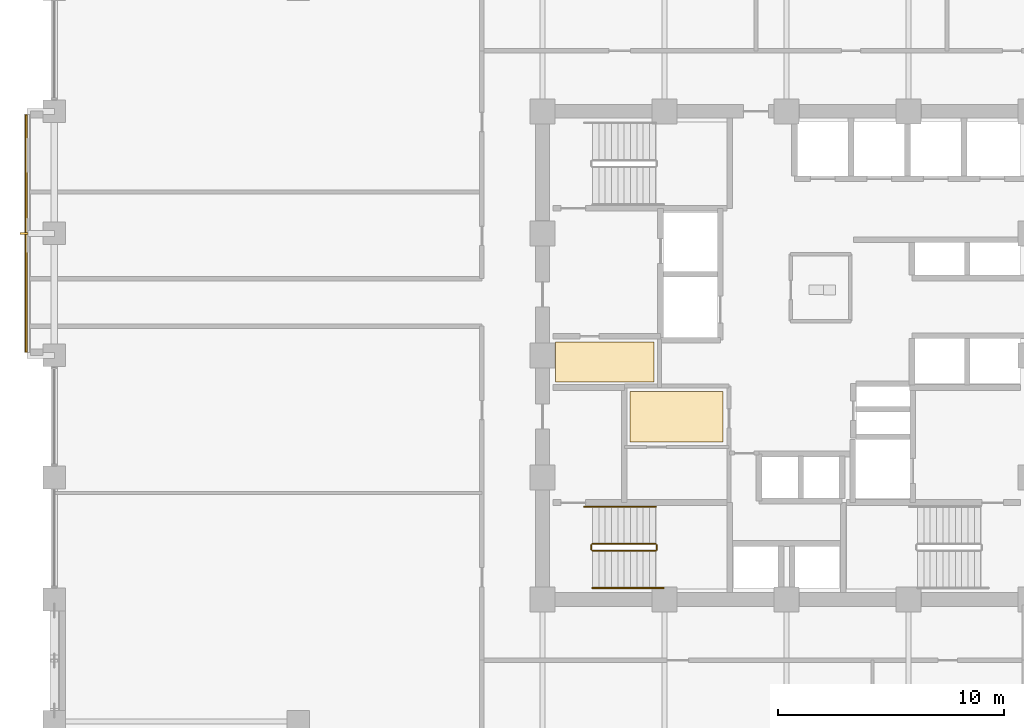
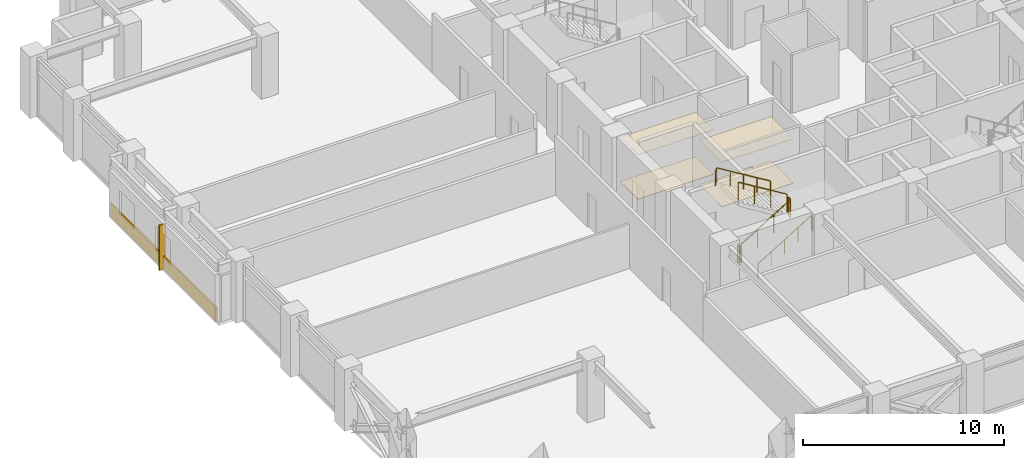
# One storey, part 22 of 25: 6 railings, 5 coverings, 1 shading device.
"""IFC4 building model written with IfcOpenShell, lengths in metres."""

from ifc_helpers import new_model, si_unit, direction, frame, origin, origin_2d, place, context, subcontext, project, spatial, polyline, rectangle, circle, outline, extrude, material, layer, layer_set, type_object, element, save


model = new_model("IFC4")

# Units and contexts
model_context = context("Model", 3, precision=1e-05, world=origin(), true_north=direction((0.0, 1.0)))
body_context = subcontext(model_context, "Body", "Model", "MODEL_VIEW")
ifc_project = project(units=[si_unit("LENGTHUNIT", "METRE"), si_unit("AREAUNIT", "SQUARE_METRE"), si_unit("VOLUMEUNIT", "CUBIC_METRE"), si_unit("PLANEANGLEUNIT", "RADIAN"), si_unit("MASSUNIT", "GRAM", prefix="KILO")], contexts=[model_context])

# Site, building, storey
site_placement = place(None, origin())
site = spatial("IfcSite", under=ifc_project, at=site_placement, CompositionType="ELEMENT")
building_placement = place(site_placement, origin())
building = spatial("IfcBuilding", under=site, at=building_placement, Name="Surkhivell Harbour Commons", CompositionType="ELEMENT")
storey_placement = place(building_placement, frame((0.0, 0.0, 139.5)))
storey = spatial("IfcBuildingStorey", under=building, at=storey_placement, Name="L36", CompositionType="ELEMENT", Elevation=139.5)

# Coverings
ifc_material_1 = material(Name="Perforated acoustic mineral-fibre ceiling tile", Category="other")
ifc_layer_1 = layer(ifc_material_1, 0.02490234375)
ifc_layer_set_1 = layer_set([ifc_layer_1], Name="Perforated acoustic mineral-fibre ceiling tile")
covering_type_1 = type_object("IfcCoveringType", Name="COV-CEIL-AC", PredefinedType="CEILING", material=ifc_layer_set_1)
covering_1_placement = place(storey_placement, frame((0.0, 0.0, 2.694091796875)))
element("IfcCovering", 1, at=covering_1_placement, inside=storey, type_object=covering_type_1, Name="L36 Suspended Acoustic Ceiling 1", PredefinedType="CEILING", context=body_context, shape_type="SweptSolid", body=[
    extrude(outline(polyline([(-10.219970703125, -1.179931640625), (-5.8701171875, -1.179931640625), (-5.8701171875, 0.60009765625), (-10.219970703125, 0.60009765625), (-10.219970703125, 0.580078125), (-10.219970703125, -0.580078125), (-10.219970703125, -1.179931640625)])), origin(), (0.0, 0.0, 1.0), 0.02490234375),
])
ifc_material_2 = material(Name="Moisture-resistant gypsum acoustic ceiling board", Category="other")
ifc_layer_2 = layer(ifc_material_2, 0.030029296875)
ifc_layer_set_2 = layer_set([ifc_layer_2], Name="Moisture-resistant gypsum acoustic ceiling board")
covering_type_2 = type_object("IfcCoveringType", Name="COV-CEIL-GYP", PredefinedType="CEILING", material=ifc_layer_set_2)
covering_2_placement = place(storey_placement, frame((0.0, 0.0, 2.68896484375)))
element("IfcCovering", 2, at=covering_2_placement, inside=storey, type_object=covering_type_2, Name="L36 Suspended Acoustic Ceiling 2", PredefinedType="CEILING", context=body_context, shape_type="SweptSolid", body=[
    extrude(outline(polyline([(-6.929931640625, -3.830078125), (-2.820068359375, -3.830078125), (-2.820068359375, -1.60009765625), (-6.929931640625, -1.60009765625), (-6.929931640625, -3.830078125)])), origin(), (0.0, 0.0, 1.0), 0.030029296875),
])
ifc_material_3 = material(Name="Emerald-teal enamelled aluminium cassette panel", Category="aluminium")
ifc_layer_3 = layer(ifc_material_3, 0.068115234375)
ifc_layer_set_3 = layer_set([ifc_layer_3], Name="Emerald-teal enamelled aluminium cassette panel")
covering_type_3 = type_object("IfcCoveringType", Name="COV-CLAD-EME", PredefinedType="CLADDING", material=ifc_layer_set_3)
covering_3_placement = place(storey_placement, frame((-33.639892578125, 5.39990234375, 0.0), z_axis=(0.0, 0.0, 1.0), x_axis=(1.0, 0.0, 0.0)))
element("IfcCovering", 3, at=covering_3_placement, inside=storey, type_object=covering_type_3, Name="L36 Coloured-Panel Box Spandrel Cassette 02", PredefinedType="CLADDING", context=body_context, shape_type="SweptSolid", body=[
    extrude(rectangle(XDim=0.080078125, YDim=10.5, at=origin_2d()), origin(), (0.0, 0.0, 1.0), 0.840087890625),
])
ifc_material_4 = material(Name="Engineered acoustic oak timber flooring", Category="wood")
ifc_layer_4 = layer(ifc_material_4, 0.02001953125)
ifc_layer_set_4 = layer_set([ifc_layer_4], Name="Engineered acoustic oak timber flooring")
covering_type_4 = type_object("IfcCoveringType", Name="COV-FLR-TIM", PredefinedType="FLOORING", material=ifc_layer_set_4)
covering_4_placement = place(storey_placement, origin())
element("IfcCovering", 4, at=covering_4_placement, inside=storey, type_object=covering_type_4, Name="L36 Interior Floor Finish 1", PredefinedType="FLOORING", context=body_context, shape_type="SweptSolid", body=[
    extrude(outline(polyline([(-10.219970703125, -1.179931640625), (-5.8701171875, -1.179931640625), (-5.8701171875, 0.60009765625), (-10.219970703125, 0.60009765625), (-10.219970703125, 0.580078125), (-10.219970703125, -0.580078125), (-10.219970703125, -1.179931640625)])), origin(), (0.0, 0.0, 1.0), 0.02001953125),
])
covering_5_placement = place(storey_placement, origin())
element("IfcCovering", 5, at=covering_5_placement, inside=storey, type_object=covering_type_4, Name="L36 Interior Floor Finish 2", PredefinedType="FLOORING", context=body_context, shape_type="SweptSolid", body=[
    extrude(outline(polyline([(-6.929931640625, -3.830078125), (-2.820068359375, -3.830078125), (-2.820068359375, -1.60009765625), (-6.929931640625, -1.60009765625), (-6.929931640625, -3.830078125)])), origin(), (0.0, 0.0, 1.0), 0.02001953125),
])

# Railings
ifc_material_5 = material(Name="Galvanised and painted steel S355 guard rail", Category="steel")
railing_type_1 = type_object("IfcRailingType", Name="RAL-ST-GRD1100", PredefinedType="GUARDRAIL", material=ifc_material_5)
railing_1_placement = place(storey_placement, frame((-8.590087890625, -8.639892578125, 0.17041015625)))
element("IfcRailing", 6, at=railing_1_placement, inside=storey, type_object=railing_type_1, Name="L36 ST3 stair guard 1", PredefinedType="GUARDRAIL", context=body_context, shape_type="SweptSolid", body=[
    extrude(circle(Radius=0.02392578125, at=origin_2d()), frame((0.0, 0.0, 1.076171875), z_axis=(0.854169791009, 0.0, 0.51999420009), x_axis=(0.0, 1.0, 0.0)), (0.0, 0.0, 1.0), 3.278076171875),
    extrude(circle(Radius=0.02099609375, at=origin_2d()), origin(), (0.0, 0.0, 1.0), 1.052001953125),
    extrude(circle(Radius=0.02099609375, at=origin_2d()), frame((0.933349609375, 0.0, 0.568115234375)), (0.0, 0.0, 1.0), 1.052001953125),
    extrude(circle(Radius=0.02099609375, at=origin_2d()), frame((1.86669921875, 0.0, 1.136474609375)), (0.0, 0.0, 1.0), 1.052001953125),
    extrude(circle(Radius=0.02099609375, at=origin_2d()), frame((2.800048828125, 0.0, 1.70458984375)), (0.0, 0.0, 1.0), 1.052001953125),
])
railing_2_placement = place(storey_placement, frame((-5.739990234375, -8.590087890625, 1.875)))
element("IfcRailing", 7, at=railing_2_placement, inside=storey, type_object=railing_type_1, Name="L36 ST3 stair guard 2", PredefinedType="GUARDRAIL", context=body_context, shape_type="SweptSolid", body=[
    extrude(circle(Radius=0.02392578125, at=origin_2d()), frame((0.0, 0.0, 1.076171875), z_axis=(0.0, 1.0, 0.0), x_axis=(-1.0, 0.0, 0.0)), (0.0, 0.0, 1.0), 0.2001953125),
    extrude(circle(Radius=0.02099609375, at=origin_2d()), origin(), (0.0, 0.0, 1.0), 1.052001953125),
    extrude(circle(Radius=0.02099609375, at=origin_2d()), frame((0.0, 0.2001953125, 0.0)), (0.0, 0.0, 1.0), 1.052001953125),
])
railing_3_placement = place(storey_placement, frame((-5.7900390625, -8.340087890625, 2.04541015625)))
element("IfcRailing", 8, at=railing_3_placement, inside=storey, type_object=railing_type_1, Name="L36 ST3 stair guard 3", PredefinedType="GUARDRAIL", context=body_context, shape_type="SweptSolid", body=[
    extrude(circle(Radius=0.02392578125, at=origin_2d()), frame((0.0, 0.0, 1.076171875), z_axis=(-0.854169791009, 0.0, 0.51999420009), x_axis=(0.0, -1.0, 0.0)), (0.0, 0.0, 1.0), 3.278076171875),
    extrude(circle(Radius=0.02099609375, at=origin_2d()), origin(), (0.0, 0.0, 1.0), 1.052001953125),
    extrude(circle(Radius=0.02099609375, at=origin_2d()), frame((-0.933349609375, 0.0, 0.568115234375)), (0.0, 0.0, 1.0), 1.052001953125),
    extrude(circle(Radius=0.02099609375, at=origin_2d()), frame((-1.86669921875, 0.0, 1.136474609375)), (0.0, 0.0, 1.0), 1.052001953125),
    extrude(circle(Radius=0.02099609375, at=origin_2d()), frame((-2.800048828125, 0.0, 1.70458984375)), (0.0, 0.0, 1.0), 1.052001953125),
])
railing_4_placement = place(storey_placement, frame((-8.639892578125, -8.590087890625, 0.0)))
element("IfcRailing", 9, at=railing_4_placement, inside=storey, type_object=railing_type_1, Name="L36 ST3 stair guard 4", PredefinedType="GUARDRAIL", context=body_context, shape_type="SweptSolid", body=[
    extrude(circle(Radius=0.02392578125, at=origin_2d()), frame((0.0, 0.0, 1.076171875), z_axis=(0.0, 1.0, 0.0), x_axis=(-1.0, 0.0, 0.0)), (0.0, 0.0, 1.0), 0.2001953125),
    extrude(circle(Radius=0.02099609375, at=origin_2d()), origin(), (0.0, 0.0, 1.0), 1.052001953125),
    extrude(circle(Radius=0.02099609375, at=origin_2d()), frame((0.0, 0.2001953125, 0.0)), (0.0, 0.0, 1.0), 1.052001953125),
])
ifc_material_6 = material(Name="Brushed stainless steel S355 handrail", Category="steel")
railing_type_2 = type_object("IfcRailingType", Name="RAL-ST-HND900", PredefinedType="HANDRAIL", material=ifc_material_6)
railing_5_placement = place(storey_placement, frame((-8.590087890625, -10.2900390625, 0.17041015625)))
element("IfcRailing", 10, at=railing_5_placement, inside=storey, type_object=railing_type_2, Name="L36 ST3 stair handrail 1", PredefinedType="HANDRAIL", context=body_context, shape_type="SweptSolid", body=[
    extrude(circle(Radius=0.02392578125, at=origin_2d()), frame((0.0, 0.0, 0.8759765625), z_axis=(0.854177636135, 0.0, 0.519981313056), x_axis=(0.0, 1.0, 0.0)), (0.0, 0.0, 1.0), 3.60595703125),
    extrude(circle(Radius=0.02392578125, at=origin_2d()), frame((3.080078125, 0.0, 2.7509765625), z_axis=(0.425297416671, 0.0, -0.905053648892), x_axis=(0.0, 1.0, 0.0)), (0.0, 0.0, 1.0), 0.188232421875),
    extrude(circle(Radius=0.02099609375, at=origin_2d()), origin(), (0.0, 0.0, 1.0), 0.851806640625),
    extrude(circle(Radius=0.02099609375, at=origin_2d()), frame((0.77001953125, 0.0, 0.46875)), (0.0, 0.0, 1.0), 0.851806640625),
    extrude(circle(Radius=0.02099609375, at=origin_2d()), frame((1.5400390625, 0.0, 0.9375)), (0.0, 0.0, 1.0), 0.851806640625),
    extrude(circle(Radius=0.02099609375, at=origin_2d()), frame((2.31005859375, 0.0, 1.40625)), (0.0, 0.0, 1.0), 0.851806640625),
    extrude(circle(Radius=0.02099609375, at=origin_2d()), frame((3.080078125, 0.0, 1.875)), (0.0, 0.0, 1.0), 0.851806640625),
    extrude(circle(Radius=0.02099609375, at=origin_2d()), frame((3.16015625, 0.0, 1.70458984375)), (0.0, 0.0, 1.0), 0.851806640625),
])
railing_6_placement = place(storey_placement, frame((-5.7900390625, -6.68994140625, 2.04541015625)))
element("IfcRailing", 11, at=railing_6_placement, inside=storey, type_object=railing_type_2, Name="L36 ST3 stair handrail 2", PredefinedType="HANDRAIL", context=body_context, shape_type="SweptSolid", body=[
    extrude(circle(Radius=0.02392578125, at=origin_2d()), frame((0.0, 0.0, 0.8759765625), z_axis=(-0.854177636135, 0.0, 0.519981313056), x_axis=(0.0, -1.0, 0.0)), (0.0, 0.0, 1.0), 3.60595703125),
    extrude(circle(Radius=0.02392578125, at=origin_2d()), frame((-3.080078125, 0.0, 2.7509765625), z_axis=(-0.424234432967, 0.0, -0.905552398199), x_axis=(0.0, -1.0, 0.0)), (0.0, 0.0, 1.0), 0.188232421875),
    extrude(circle(Radius=0.02099609375, at=origin_2d()), origin(), (0.0, 0.0, 1.0), 0.851806640625),
    extrude(circle(Radius=0.02099609375, at=origin_2d()), frame((-0.77001953125, 0.0, 0.46875)), (0.0, 0.0, 1.0), 0.851806640625),
    extrude(circle(Radius=0.02099609375, at=origin_2d()), frame((-1.5400390625, 0.0, 0.9375)), (0.0, 0.0, 1.0), 0.851806640625),
    extrude(circle(Radius=0.02099609375, at=origin_2d()), frame((-2.31005859375, 0.0, 1.40625)), (0.0, 0.0, 1.0), 0.851806640625),
    extrude(circle(Radius=0.02099609375, at=origin_2d()), frame((-3.080078125, 0.0, 1.875)), (0.0, 0.0, 1.0), 0.851806640625),
    extrude(circle(Radius=0.02099609375, at=origin_2d()), frame((-3.159912109375, 0.0, 1.70458984375)), (0.0, 0.0, 1.0), 0.851806640625),
])

# Shading device
ifc_material_7 = material(Name="Anodised pale-metal aluminium solar fin", Category="aluminium")
shading_device_type = type_object("IfcShadingDeviceType", Name="SHD-FIN-VERT", PredefinedType="USERDEFINED", material=ifc_material_7)
shading_device_placement = place(storey_placement, frame((-33.739990234375, 5.39990234375, 0.0048828125), z_axis=(0.0, 0.0, 1.0), x_axis=(1.0, 0.0, 0.0)))
element("IfcShadingDevice", 12, at=shading_device_placement, inside=storey, type_object=shading_device_type, Name="L36 Coloured-Box Solar Fin 02", ObjectType="FIN", PredefinedType="USERDEFINED", context=body_context, shape_type="SweptSolid", body=[
    extrude(rectangle(XDim=0.360107421875, YDim=0.090087890625, at=origin_2d()), origin(), (0.0, 0.0, 1.0), 2.75),
])

save(model, "model.ifc")
